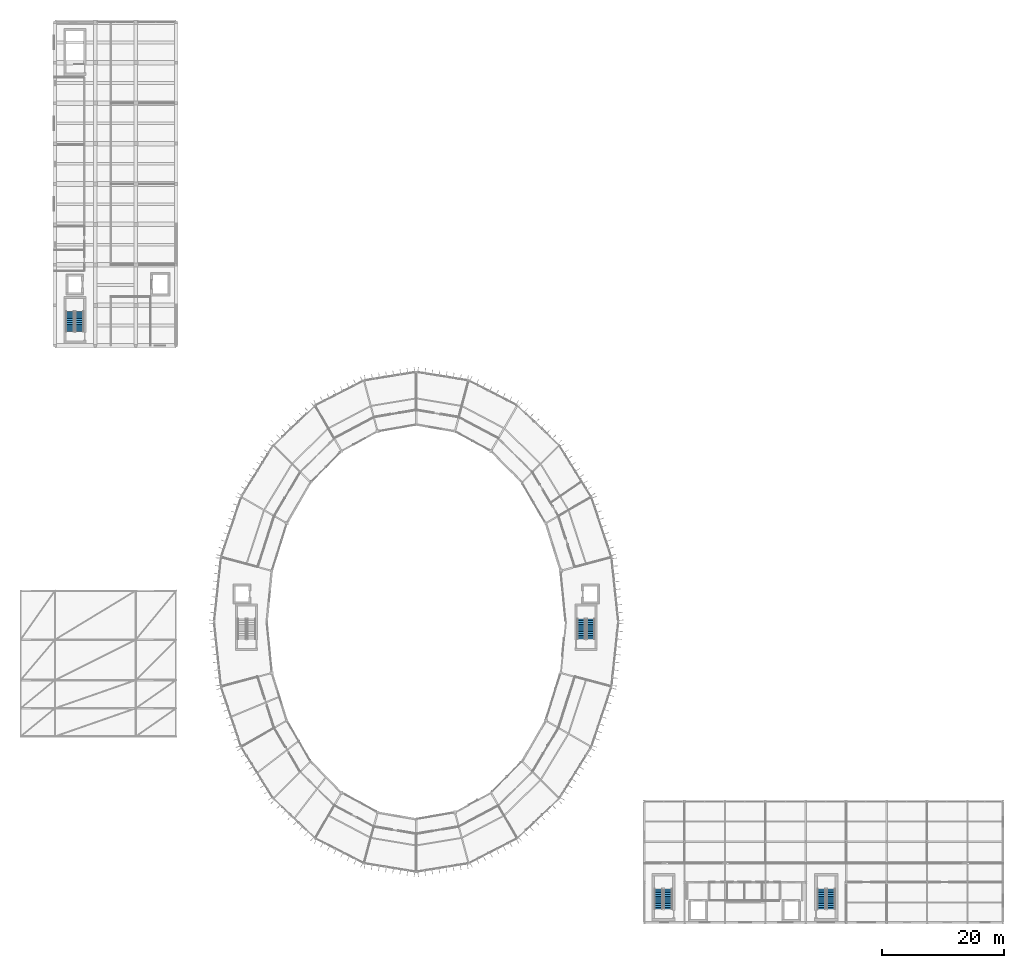
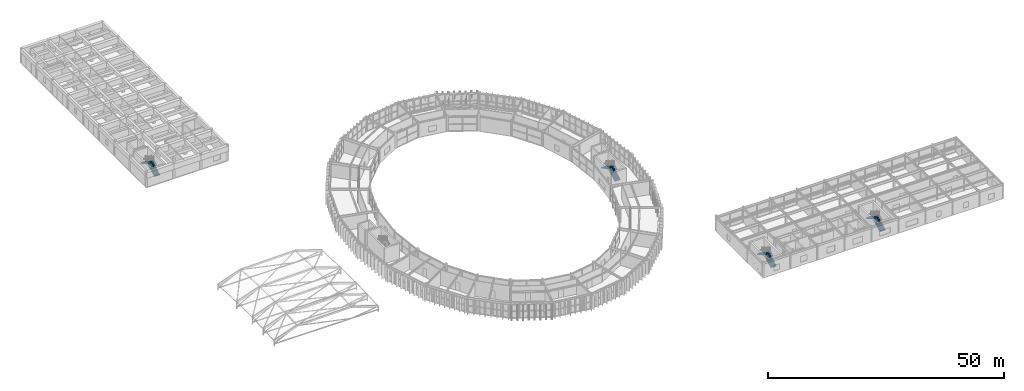
# One storey, part 124 of 134: 8 stair flights, 4 elements without a shape of their own.
"""IFC4 building model written with IfcOpenShell, lengths in metres."""

from ifc_helpers import new_model, si_unit, direction, frame, origin, place, context, subcontext, project, spatial, polyline, outline, extrude, material, type_object, element, aggregate, save


model = new_model("IFC4")

# Units and contexts
model_context = context("Model", 3, precision=1e-05, world=origin(), true_north=direction((0.0, 1.0)))
body_context = subcontext(model_context, "Body", "Model", "MODEL_VIEW")
ifc_project = project(units=[si_unit("LENGTHUNIT", "METRE"), si_unit("AREAUNIT", "SQUARE_METRE"), si_unit("VOLUMEUNIT", "CUBIC_METRE"), si_unit("PLANEANGLEUNIT", "RADIAN"), si_unit("MASSUNIT", "GRAM", prefix="KILO")], contexts=[model_context])

# Site, building, storey
site_placement = place(None, origin())
site = spatial("IfcSite", under=ifc_project, at=site_placement, CompositionType="ELEMENT")
building_placement = place(site_placement, origin())
building = spatial("IfcBuilding", under=site, at=building_placement, Name="Karori Crest Natural Sciences Institute", CompositionType="ELEMENT")
storey_placement = place(building_placement, frame((0.0, 0.0, 21.699951171875)))
storey = spatial("IfcBuildingStorey", under=building, at=storey_placement, Name="L05", CompositionType="ELEMENT", Elevation=21.699951171875)

# Stair, stair flights
ifc_material = material(Name="Concrete 40 MPa", Category="concrete")
stair_type = type_object("IfcStairType", Name="STT-01", PredefinedType="HALF_TURN_STAIR", material=ifc_material)
stair_1_placement = place(storey_placement, origin())
stair_1 = element("IfcStair", 1, at=stair_1_placement, inside=storey, type_object=stair_type, Name="Protected stair ST-01-L05", PredefinedType="HALF_TURN_STAIR")
stair_flight_type = type_object("IfcStairFlightType", Name="SFT-01", PredefinedType="STRAIGHT", material=ifc_material)
stair_flight_1_placement = place(storey_placement, frame((94.875, 47.10009765625, 0.0), z_axis=(0.0, 0.0, 1.0), x_axis=(0.0, 1.0, 0.0)))
stair_flight_1 = element("IfcStairFlight", 2, at=stair_flight_1_placement, type_object=stair_flight_type, Name="ST-01-L05 flight 1", NumberOfRisers=12, NumberOfTreads=11, PredefinedType="STRAIGHT", RiserHeight=0.175, TreadLength=0.3, context=body_context, shape_type="SweptSolid", body=[
    extrude(outline(polyline([(0.0, 0.0), (0.0, 0.175048828125), (0.300048828125, 0.175048828125), (0.300048828125, 0.35009765625), (0.60009765625, 0.35009765625), (0.60009765625, 0.52490234375), (0.89990234375, 0.52490234375), (0.89990234375, 0.699951171875), (1.199951171875, 0.699951171875), (1.199951171875, 0.875), (1.5, 0.875), (1.5, 1.050048828125), (1.800048828125, 1.050048828125), (1.800048828125, 1.22509765625), (2.10009765625, 1.22509765625), (2.10009765625, 1.39990234375), (2.39990234375, 1.39990234375), (2.39990234375, 1.574951171875), (2.699951171875, 1.574951171875), (2.699951171875, 1.75), (3.0, 1.75), (3.0, 1.925048828125), (3.300048828125, 1.925048828125), (3.300048828125, 2.10009765625), (3.300048828125, 1.739990234375), (0.3173828125, 0.0), (0.0, 0.0)])), frame((0.0, 0.675048828125, 0.0), z_axis=(0.0, -1.0, 0.0), x_axis=(1.0, 0.0, 0.0)), (0.0, 0.0, 1.0), 1.35009765625),
])
stair_flight_2_placement = place(storey_placement, frame((93.324951171875, 50.39990234375, 2.10009765625), z_axis=(0.0, 0.0, 1.0), x_axis=(0.0, -1.0, 0.0)))
stair_flight_2 = element("IfcStairFlight", 3, at=stair_flight_2_placement, type_object=stair_flight_type, Name="ST-01-L05 flight 2", NumberOfRisers=12, NumberOfTreads=11, PredefinedType="STRAIGHT", RiserHeight=0.175, TreadLength=0.3, context=body_context, shape_type="SweptSolid", body=[
    extrude(outline(polyline([(0.0, 0.0), (0.0, 0.175048828125), (0.300048828125, 0.175048828125), (0.300048828125, 0.35009765625), (0.60009765625, 0.35009765625), (0.60009765625, 0.52490234375), (0.89990234375, 0.52490234375), (0.89990234375, 0.699951171875), (1.199951171875, 0.699951171875), (1.199951171875, 0.875), (1.5, 0.875), (1.5, 1.050048828125), (1.800048828125, 1.050048828125), (1.800048828125, 1.22509765625), (2.10009765625, 1.22509765625), (2.10009765625, 1.39990234375), (2.39990234375, 1.39990234375), (2.39990234375, 1.574951171875), (2.699951171875, 1.574951171875), (2.699951171875, 1.75), (3.0, 1.75), (3.0, 1.925048828125), (3.300048828125, 1.925048828125), (3.300048828125, 2.10009765625), (3.300048828125, 1.739990234375), (0.3173828125, 0.0), (0.0, 0.0)])), frame((0.0, 0.675048828125, 0.0), z_axis=(0.0, -1.0, 0.0), x_axis=(1.0, 0.0, 0.0)), (0.0, 0.0, 1.0), 1.35009765625),
])
aggregate(stair_1, [stair_flight_1, stair_flight_2])

stair_2_placement = place(storey_placement, origin())
stair_2 = element("IfcStair", 4, at=stair_2_placement, inside=storey, type_object=stair_type, Name="Protected stair ST-03-L05", PredefinedType="HALF_TURN_STAIR")
stair_flight_3_placement = place(storey_placement, frame((107.52490234375, 3.0, 0.0), z_axis=(0.0, 0.0, 1.0), x_axis=(0.0, 1.0, 0.0)))
stair_flight_3 = element("IfcStairFlight", 5, at=stair_flight_3_placement, type_object=stair_flight_type, Name="ST-03-L05 flight 1", NumberOfRisers=12, NumberOfTreads=11, PredefinedType="STRAIGHT", RiserHeight=0.175, TreadLength=0.3, context=body_context, shape_type="SweptSolid", body=[
    extrude(outline(polyline([(0.0, 0.0), (0.0, 0.175048828125), (0.300048828125, 0.175048828125), (0.300048828125, 0.35009765625), (0.60009765625, 0.35009765625), (0.60009765625, 0.52490234375), (0.89990234375, 0.52490234375), (0.89990234375, 0.699951171875), (1.199951171875, 0.699951171875), (1.199951171875, 0.875), (1.5, 0.875), (1.5, 1.050048828125), (1.800048828125, 1.050048828125), (1.800048828125, 1.22509765625), (2.10009765625, 1.22509765625), (2.10009765625, 1.39990234375), (2.39990234375, 1.39990234375), (2.39990234375, 1.574951171875), (2.699951171875, 1.574951171875), (2.699951171875, 1.75), (3.0, 1.75), (3.0, 1.925048828125), (3.300048828125, 1.925048828125), (3.300048828125, 2.10009765625), (3.300048828125, 1.739990234375), (0.3173828125, 0.0), (0.0, 0.0)])), frame((0.0, 0.675048828125, 0.0), z_axis=(0.0, -1.0, 0.0), x_axis=(1.0, 0.0, 0.0)), (0.0, 0.0, 1.0), 1.35009765625),
])
stair_flight_4_placement = place(storey_placement, frame((105.97509765625, 6.300048828125, 2.10009765625), z_axis=(0.0, 0.0, 1.0), x_axis=(0.0, -1.0, 0.0)))
stair_flight_4 = element("IfcStairFlight", 6, at=stair_flight_4_placement, type_object=stair_flight_type, Name="ST-03-L05 flight 2", NumberOfRisers=12, NumberOfTreads=11, PredefinedType="STRAIGHT", RiserHeight=0.175, TreadLength=0.3, context=body_context, shape_type="SweptSolid", body=[
    extrude(outline(polyline([(0.0, 0.0), (0.0, 0.175048828125), (0.300048828125, 0.175048828125), (0.300048828125, 0.35009765625), (0.60009765625, 0.35009765625), (0.60009765625, 0.52490234375), (0.89990234375, 0.52490234375), (0.89990234375, 0.699951171875), (1.199951171875, 0.699951171875), (1.199951171875, 0.875), (1.5, 0.875), (1.5, 1.050048828125), (1.800048828125, 1.050048828125), (1.800048828125, 1.22509765625), (2.10009765625, 1.22509765625), (2.10009765625, 1.39990234375), (2.39990234375, 1.39990234375), (2.39990234375, 1.574951171875), (2.699951171875, 1.574951171875), (2.699951171875, 1.75), (3.0, 1.75), (3.0, 1.925048828125), (3.300048828125, 1.925048828125), (3.300048828125, 2.10009765625), (3.300048828125, 1.739990234375), (0.3173828125, 0.0), (0.0, 0.0)])), frame((0.0, 0.675048828125, 0.0), z_axis=(0.0, -1.0, 0.0), x_axis=(1.0, 0.0, 0.0)), (0.0, 0.0, 1.0), 1.35009765625),
])
aggregate(stair_2, [stair_flight_3, stair_flight_4])

stair_3_placement = place(storey_placement, origin())
stair_3 = element("IfcStair", 7, at=stair_3_placement, inside=storey, type_object=stair_type, Name="Protected stair ST-04-L05", PredefinedType="HALF_TURN_STAIR")
stair_flight_5_placement = place(storey_placement, frame((134.125, 3.0, 0.0), z_axis=(0.0, 0.0, 1.0), x_axis=(0.0, 1.0, 0.0)))
stair_flight_5 = element("IfcStairFlight", 8, at=stair_flight_5_placement, type_object=stair_flight_type, Name="ST-04-L05 flight 1", NumberOfRisers=12, NumberOfTreads=11, PredefinedType="STRAIGHT", RiserHeight=0.175, TreadLength=0.3, context=body_context, shape_type="SweptSolid", body=[
    extrude(outline(polyline([(0.0, 0.0), (0.0, 0.175048828125), (0.300048828125, 0.175048828125), (0.300048828125, 0.35009765625), (0.60009765625, 0.35009765625), (0.60009765625, 0.52490234375), (0.89990234375, 0.52490234375), (0.89990234375, 0.699951171875), (1.199951171875, 0.699951171875), (1.199951171875, 0.875), (1.5, 0.875), (1.5, 1.050048828125), (1.800048828125, 1.050048828125), (1.800048828125, 1.22509765625), (2.10009765625, 1.22509765625), (2.10009765625, 1.39990234375), (2.39990234375, 1.39990234375), (2.39990234375, 1.574951171875), (2.699951171875, 1.574951171875), (2.699951171875, 1.75), (3.0, 1.75), (3.0, 1.925048828125), (3.300048828125, 1.925048828125), (3.300048828125, 2.10009765625), (3.300048828125, 1.739990234375), (0.3173828125, 0.0), (0.0, 0.0)])), frame((0.0, 0.675048828125, 0.0), z_axis=(0.0, -1.0, 0.0), x_axis=(1.0, 0.0, 0.0)), (0.0, 0.0, 1.0), 1.35009765625),
])
stair_flight_6_placement = place(storey_placement, frame((132.574951171875, 6.300048828125, 2.10009765625), z_axis=(0.0, 0.0, 1.0), x_axis=(0.0, -1.0, 0.0)))
stair_flight_6 = element("IfcStairFlight", 9, at=stair_flight_6_placement, type_object=stair_flight_type, Name="ST-04-L05 flight 2", NumberOfRisers=12, NumberOfTreads=11, PredefinedType="STRAIGHT", RiserHeight=0.175, TreadLength=0.3, context=body_context, shape_type="SweptSolid", body=[
    extrude(outline(polyline([(0.0, 0.0), (0.0, 0.175048828125), (0.300048828125, 0.175048828125), (0.300048828125, 0.35009765625), (0.60009765625, 0.35009765625), (0.60009765625, 0.52490234375), (0.89990234375, 0.52490234375), (0.89990234375, 0.699951171875), (1.199951171875, 0.699951171875), (1.199951171875, 0.875), (1.5, 0.875), (1.5, 1.050048828125), (1.800048828125, 1.050048828125), (1.800048828125, 1.22509765625), (2.10009765625, 1.22509765625), (2.10009765625, 1.39990234375), (2.39990234375, 1.39990234375), (2.39990234375, 1.574951171875), (2.699951171875, 1.574951171875), (2.699951171875, 1.75), (3.0, 1.75), (3.0, 1.925048828125), (3.300048828125, 1.925048828125), (3.300048828125, 2.10009765625), (3.300048828125, 1.739990234375), (0.3173828125, 0.0), (0.0, 0.0)])), frame((0.0, 0.675048828125, 0.0), z_axis=(0.0, -1.0, 0.0), x_axis=(1.0, 0.0, 0.0)), (0.0, 0.0, 1.0), 1.35009765625),
])
aggregate(stair_3, [stair_flight_5, stair_flight_6])

stair_4_placement = place(storey_placement, origin())
stair_4 = element("IfcStair", 10, at=stair_4_placement, inside=storey, type_object=stair_type, Name="Protected stair ST-05-L05", PredefinedType="HALF_TURN_STAIR")
stair_flight_7_placement = place(storey_placement, frame((11.425048828125, 97.300048828125, 0.0), z_axis=(0.0, 0.0, 1.0), x_axis=(0.0, 1.0, 0.0)))
stair_flight_7 = element("IfcStairFlight", 11, at=stair_flight_7_placement, type_object=stair_flight_type, Name="ST-05-L05 flight 1", NumberOfRisers=12, NumberOfTreads=11, PredefinedType="STRAIGHT", RiserHeight=0.175, TreadLength=0.3, context=body_context, shape_type="SweptSolid", body=[
    extrude(outline(polyline([(0.0, 0.0), (0.0, 0.175048828125), (0.300048828125, 0.175048828125), (0.300048828125, 0.35009765625), (0.60009765625, 0.35009765625), (0.60009765625, 0.52490234375), (0.89990234375, 0.52490234375), (0.89990234375, 0.699951171875), (1.199951171875, 0.699951171875), (1.199951171875, 0.875), (1.5, 0.875), (1.5, 1.050048828125), (1.800048828125, 1.050048828125), (1.800048828125, 1.22509765625), (2.10009765625, 1.22509765625), (2.10009765625, 1.39990234375), (2.39990234375, 1.39990234375), (2.39990234375, 1.574951171875), (2.699951171875, 1.574951171875), (2.699951171875, 1.75), (3.0, 1.75), (3.0, 1.925048828125), (3.300048828125, 1.925048828125), (3.300048828125, 2.10009765625), (3.300048828125, 1.739990234375), (0.3173828125, 0.0), (0.0, 0.0)])), frame((0.0, 0.675048828125, 0.0), z_axis=(0.0, -1.0, 0.0), x_axis=(1.0, 0.0, 0.0)), (0.0, 0.0, 1.0), 1.35009765625),
])
stair_flight_8_placement = place(storey_placement, frame((9.875, 100.60009765625, 2.10009765625), z_axis=(0.0, 0.0, 1.0), x_axis=(0.0, -1.0, 0.0)))
stair_flight_8 = element("IfcStairFlight", 12, at=stair_flight_8_placement, type_object=stair_flight_type, Name="ST-05-L05 flight 2", NumberOfRisers=12, NumberOfTreads=11, PredefinedType="STRAIGHT", RiserHeight=0.175, TreadLength=0.3, context=body_context, shape_type="SweptSolid", body=[
    extrude(outline(polyline([(0.0, 0.0), (0.0, 0.175048828125), (0.300048828125, 0.175048828125), (0.300048828125, 0.35009765625), (0.60009765625, 0.35009765625), (0.60009765625, 0.52490234375), (0.89990234375, 0.52490234375), (0.89990234375, 0.699951171875), (1.199951171875, 0.699951171875), (1.199951171875, 0.875), (1.5, 0.875), (1.5, 1.050048828125), (1.800048828125, 1.050048828125), (1.800048828125, 1.22509765625), (2.10009765625, 1.22509765625), (2.10009765625, 1.39990234375), (2.39990234375, 1.39990234375), (2.39990234375, 1.574951171875), (2.699951171875, 1.574951171875), (2.699951171875, 1.75), (3.0, 1.75), (3.0, 1.925048828125), (3.300048828125, 1.925048828125), (3.300048828125, 2.10009765625), (3.300048828125, 1.739990234375), (0.3173828125, 0.0), (0.0, 0.0)])), frame((0.0, 0.675048828125, 0.0), z_axis=(0.0, -1.0, 0.0), x_axis=(1.0, 0.0, 0.0)), (0.0, 0.0, 1.0), 1.35009765625),
])
aggregate(stair_4, [stair_flight_7, stair_flight_8])

save(model, "model.ifc")
